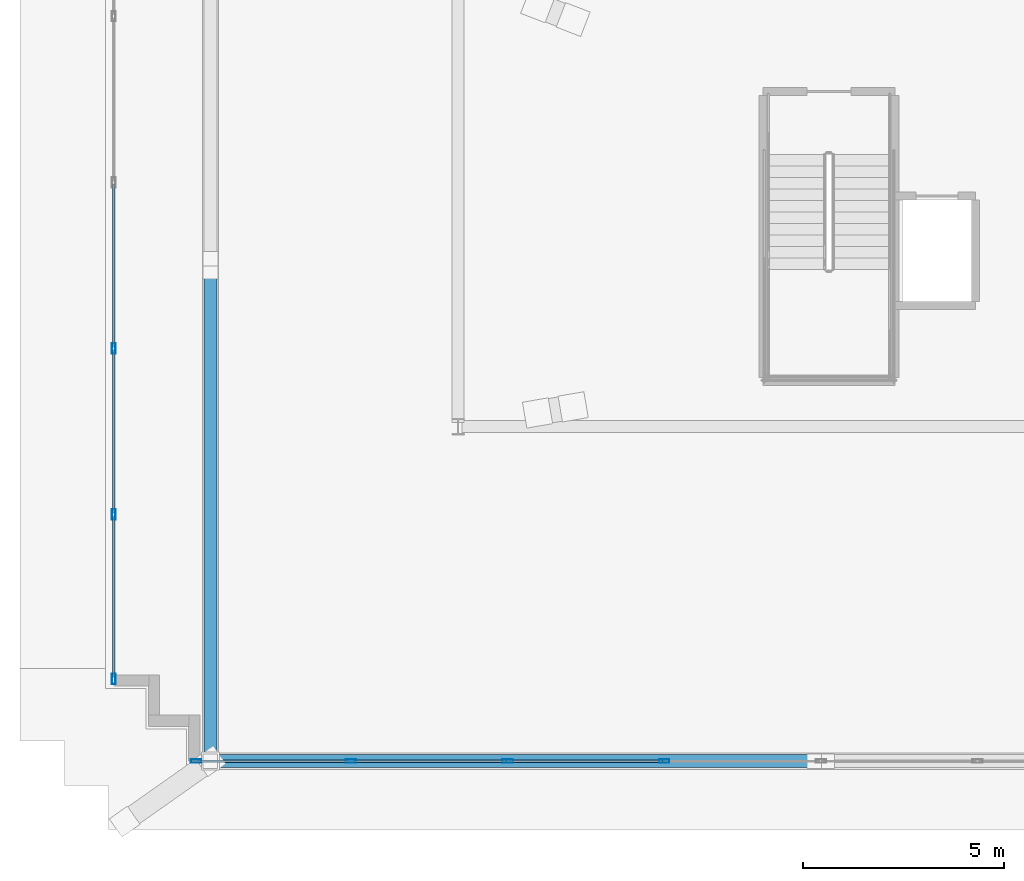
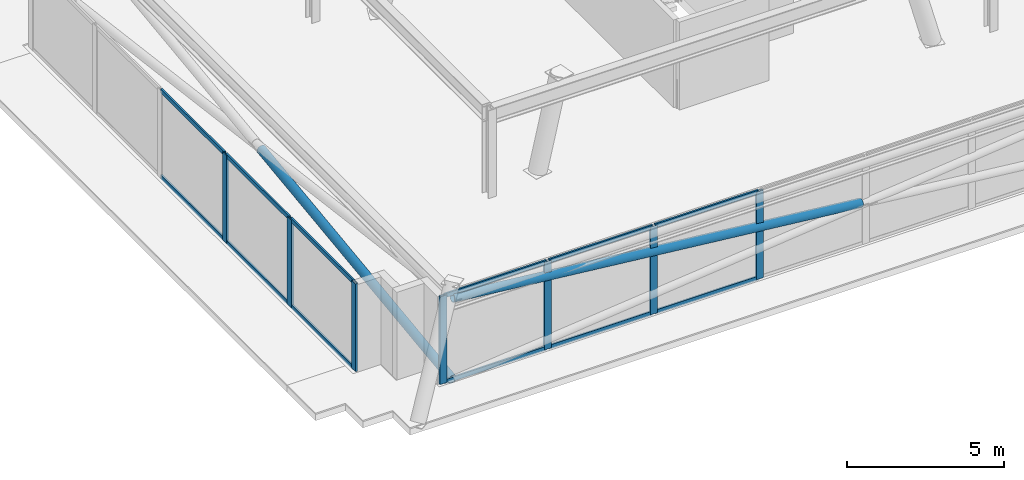
# One storey, part 2 of 18: 21 members, 2 elements without a shape of their own.
"""IFC4 building model written with IfcOpenShell, lengths in metres."""

from ifc_helpers import new_model, si_unit, direction, frame, origin, origin_2d, place, context, subcontext, project, spatial, hollow_rectangle, hollow_circle, extrude, material, layer, layer_set, material_profile, profile_set, type_object, element, aggregate, save


model = new_model("IFC4")

# Units and contexts
model_context = context("Model", 3, precision=1e-05, world=origin(), true_north=direction((0.0, 1.0)))
body_context = subcontext(model_context, "Body", "Model", "MODEL_VIEW")
ifc_project = project(units=[si_unit("LENGTHUNIT", "METRE"), si_unit("AREAUNIT", "SQUARE_METRE"), si_unit("VOLUMEUNIT", "CUBIC_METRE"), si_unit("PLANEANGLEUNIT", "RADIAN"), si_unit("MASSUNIT", "GRAM", prefix="KILO")], contexts=[model_context])

# Site, building, storey
site_placement = place(None, origin())
site = spatial("IfcSite", under=ifc_project, at=site_placement, CompositionType="ELEMENT")
building_placement = place(site_placement, origin())
building = spatial("IfcBuilding", under=site, at=building_placement, Name="Qobustan Lattice House", CompositionType="ELEMENT")
storey_placement = place(building_placement, frame((0.0, 0.0, 277.800048828125)))
storey = spatial("IfcBuildingStorey", under=building, at=storey_placement, Name="L78", CompositionType="ELEMENT", Elevation=277.800048828125)

# Curtain wall, members
ifc_material_1 = material(Name="Anodised aluminium and low-E glazing", Category="aluminium")
ifc_layer = layer(ifc_material_1, 0.219970703125)
ifc_layer_set = layer_set([ifc_layer], Name="Anodised aluminium and low-E glazing")
curtain_wall_type = type_object("IfcCurtainWallType", Name="CW-CRN-01", PredefinedType="USERDEFINED", material=ifc_layer_set)
curtain_wall_1_placement = place(storey_placement, origin())
curtain_wall_1 = element("IfcCurtainWall", 1, at=curtain_wall_1_placement, inside=storey, type_object=curtain_wall_type, Name="L78 glass-point crown faceted curtain wall 5", ObjectType="CURTAIN WALL", PredefinedType="USERDEFINED")
ifc_material_2 = material(Name="Anodised aluminium EN AW-6063 T6", Category="aluminium")
ifc_material_profile_1 = material_profile(ifc_material_2, hollow_rectangle(XDim=0.090087890625, YDim=0.260009765625, WallThickness=0.006103515625, at=origin_2d()), Name="CWM-CROWN-260x90")
ifc_profile_set_1 = profile_set([ifc_material_profile_1], Name="Anodised aluminium EN AW-6063 T6")
member_type_1 = type_object("IfcMemberType", Name="CWM-CRN-260", PredefinedType="MULLION", material=ifc_profile_set_1)
member_1_placement = place(storey_placement, frame((-17.74658203125, -11.8583984375, 0.0), z_axis=(0.0, 0.0, 1.0), x_axis=(-1.0, 0.0, 0.0)))
member_1 = element("IfcMember", 2, at=member_1_placement, type_object=member_type_1, Name="CW-CR mullion 1", PredefinedType="MULLION", context=body_context, shape_type="SweptSolid", body=[
    extrude(hollow_rectangle(XDim=0.090087890625, YDim=0.260009765625, WallThickness=0.006103515625, at=origin_2d()), origin(), (0.0, 0.0, 1.0), 3.39990234375),
])
member_2_placement = place(storey_placement, frame((-17.74658203125, -7.781982421875, 0.0), z_axis=(0.0, 0.0, 1.0), x_axis=(-1.0, 0.0, 0.0)))
member_2 = element("IfcMember", 3, at=member_2_placement, type_object=member_type_1, Name="CW-CR mullion 2", PredefinedType="MULLION", context=body_context, shape_type="SweptSolid", body=[
    extrude(hollow_rectangle(XDim=0.090087890625, YDim=0.260009765625, WallThickness=0.006103515625, at=origin_2d()), origin(), (0.0, 0.0, 1.0), 3.39990234375),
])
member_3_placement = place(storey_placement, frame((-17.74658203125, -3.66064453125, 0.0), z_axis=(0.0, 0.0, 1.0), x_axis=(-1.0, 0.0, 0.0)))
member_3 = element("IfcMember", 4, at=member_3_placement, type_object=member_type_1, Name="CW-CR mullion 3", PredefinedType="MULLION", context=body_context, shape_type="SweptSolid", body=[
    extrude(hollow_rectangle(XDim=0.090087890625, YDim=0.260009765625, WallThickness=0.006103515625, at=origin_2d()), origin(), (0.0, 0.0, 1.0), 3.39990234375),
])

curtain_wall_2_placement = place(storey_placement, origin())
curtain_wall_2 = element("IfcCurtainWall", 5, at=curtain_wall_2_placement, inside=storey, type_object=curtain_wall_type, Name="L78 glass-point crown faceted curtain wall 20", ObjectType="CURTAIN WALL", PredefinedType="USERDEFINED")
member_4_placement = place(storey_placement, frame((-4.086669921875, -13.903564453125, 0.0), z_axis=(0.0, 0.0, 1.0), x_axis=(0.0, -1.0, 0.0)))
member_4 = element("IfcMember", 6, at=member_4_placement, type_object=member_type_1, Name="CW-CR mullion 6", PredefinedType="MULLION", context=body_context, shape_type="SweptSolid", body=[
    extrude(hollow_rectangle(XDim=0.090087890625, YDim=0.260009765625, WallThickness=0.006103515625, at=origin_2d()), origin(), (0.0, 0.0, 1.0), 3.39990234375),
])
member_5_placement = place(storey_placement, frame((-7.97314453125, -13.903564453125, 0.0), z_axis=(0.0, 0.0, 1.0), x_axis=(0.0, -1.0, 0.0)))
member_5 = element("IfcMember", 7, at=member_5_placement, type_object=member_type_1, Name="CW-CR mullion 7", PredefinedType="MULLION", context=body_context, shape_type="SweptSolid", body=[
    extrude(hollow_rectangle(XDim=0.090087890625, YDim=0.260009765625, WallThickness=0.006103515625, at=origin_2d()), origin(), (0.0, 0.0, 1.0), 3.39990234375),
])
member_6_placement = place(storey_placement, frame((-11.85986328125, -13.903564453125, 0.0), z_axis=(0.0, 0.0, 1.0), x_axis=(0.0, -1.0, 0.0)))
member_6 = element("IfcMember", 8, at=member_6_placement, type_object=member_type_1, Name="CW-CR mullion 8", PredefinedType="MULLION", context=body_context, shape_type="SweptSolid", body=[
    extrude(hollow_rectangle(XDim=0.090087890625, YDim=0.260009765625, WallThickness=0.006103515625, at=origin_2d()), origin(), (0.0, 0.0, 1.0), 3.39990234375),
])
member_7_placement = place(storey_placement, frame((-15.701416015625, -13.903564453125, 0.0), z_axis=(0.0, 0.0, 1.0), x_axis=(0.0, -1.0, 0.0)))
member_7 = element("IfcMember", 9, at=member_7_placement, type_object=member_type_1, Name="CW-CR mullion 9", PredefinedType="MULLION", context=body_context, shape_type="SweptSolid", body=[
    extrude(hollow_rectangle(XDim=0.090087890625, YDim=0.260009765625, WallThickness=0.006103515625, at=origin_2d()), origin(), (0.0, 0.0, 1.0), 3.39990234375),
])

# Member
ifc_material_3 = material(Name="Anodised aluminium EN AW-6063 T6", Category="aluminium")
ifc_material_profile_2 = material_profile(ifc_material_3, hollow_rectangle(XDim=0.06494140625, YDim=0.159912109375, WallThickness=0.00390625, at=origin_2d()), Name="CWT-160x65")
ifc_profile_set_2 = profile_set([ifc_material_profile_2], Name="Anodised aluminium EN AW-6063 T6")
member_type_2 = type_object("IfcMemberType", Name="CWT-HOR-160", PredefinedType="USERDEFINED", material=ifc_profile_set_2)
member_8_placement = place(storey_placement, frame((-17.74658203125, -11.8134765625, 0.032470703125), z_axis=(0.0, 1.0, 0.0), x_axis=(-1.0, 0.0, 0.0)))
member_8 = element("IfcMember", 10, at=member_8_placement, type_object=member_type_2, Name="CW-CR transom 1.1", ObjectType="TRANSOM", PredefinedType="USERDEFINED", context=body_context, shape_type="SweptSolid", body=[
    extrude(hollow_rectangle(XDim=0.06494140625, YDim=0.159912109375, WallThickness=0.00390625, at=origin_2d()), origin(), (0.0, 0.0, 1.0), 3.986328125),
])

member_9_placement = place(storey_placement, frame((-17.74658203125, -11.8134765625, 3.367431640625), z_axis=(0.0, 1.0, 0.0), x_axis=(-1.0, 0.0, 0.0)))
member_9 = element("IfcMember", 11, at=member_9_placement, type_object=member_type_2, Name="CW-CR transom 1.2", ObjectType="TRANSOM", PredefinedType="USERDEFINED", context=body_context, shape_type="SweptSolid", body=[
    extrude(hollow_rectangle(XDim=0.06494140625, YDim=0.159912109375, WallThickness=0.00390625, at=origin_2d()), origin(), (0.0, 0.0, 1.0), 3.986328125),
])

member_10_placement = place(storey_placement, frame((-17.74658203125, -7.737060546875, 0.032470703125), z_axis=(0.0, 1.0, 0.0), x_axis=(-1.0, 0.0, 0.0)))
member_10 = element("IfcMember", 12, at=member_10_placement, type_object=member_type_2, Name="CW-CR transom 2.1", ObjectType="TRANSOM", PredefinedType="USERDEFINED", context=body_context, shape_type="SweptSolid", body=[
    extrude(hollow_rectangle(XDim=0.06494140625, YDim=0.159912109375, WallThickness=0.00390625, at=origin_2d()), origin(), (0.0, 0.0, 1.0), 4.03125),
])

member_11_placement = place(storey_placement, frame((-17.74658203125, -7.737060546875, 3.367431640625), z_axis=(0.0, 1.0, 0.0), x_axis=(-1.0, 0.0, 0.0)))
member_11 = element("IfcMember", 13, at=member_11_placement, type_object=member_type_2, Name="CW-CR transom 2.2", ObjectType="TRANSOM", PredefinedType="USERDEFINED", context=body_context, shape_type="SweptSolid", body=[
    extrude(hollow_rectangle(XDim=0.06494140625, YDim=0.159912109375, WallThickness=0.00390625, at=origin_2d()), origin(), (0.0, 0.0, 1.0), 4.03125),
])

member_12_placement = place(storey_placement, frame((-17.74658203125, -3.61572265625, 0.032470703125), z_axis=(0.0, 1.0, 0.0), x_axis=(-1.0, 0.0, 0.0)))
member_12 = element("IfcMember", 14, at=member_12_placement, type_object=member_type_2, Name="CW-CR transom 3.1", ObjectType="TRANSOM", PredefinedType="USERDEFINED", context=body_context, shape_type="SweptSolid", body=[
    extrude(hollow_rectangle(XDim=0.06494140625, YDim=0.159912109375, WallThickness=0.00390625, at=origin_2d()), origin(), (0.0, 0.0, 1.0), 4.031494140625),
])

member_13_placement = place(storey_placement, frame((-17.74658203125, -3.61572265625, 3.367431640625), z_axis=(0.0, 1.0, 0.0), x_axis=(-1.0, 0.0, 0.0)))
member_13 = element("IfcMember", 15, at=member_13_placement, type_object=member_type_2, Name="CW-CR transom 3.2", ObjectType="TRANSOM", PredefinedType="USERDEFINED", context=body_context, shape_type="SweptSolid", body=[
    extrude(hollow_rectangle(XDim=0.06494140625, YDim=0.159912109375, WallThickness=0.00390625, at=origin_2d()), origin(), (0.0, 0.0, 1.0), 4.031494140625),
])

aggregate(curtain_wall_1, [member_1, member_2, member_3, member_8, member_9, member_10, member_11, member_12, member_13])

member_14_placement = place(storey_placement, frame((-4.131591796875, -13.903564453125, 0.032470703125), z_axis=(-1.0, 0.0, 0.0), x_axis=(0.0, -1.0, 0.0)))
member_14 = element("IfcMember", 16, at=member_14_placement, type_object=member_type_2, Name="CW-CR transom 6.1", ObjectType="TRANSOM", PredefinedType="USERDEFINED", context=body_context, shape_type="SweptSolid", body=[
    extrude(hollow_rectangle(XDim=0.06494140625, YDim=0.159912109375, WallThickness=0.00390625, at=origin_2d()), origin(), (0.0, 0.0, 1.0), 3.796630859375),
])

member_15_placement = place(storey_placement, frame((-4.131591796875, -13.903564453125, 3.367431640625), z_axis=(-1.0, 0.0, 0.0), x_axis=(0.0, -1.0, 0.0)))
member_15 = element("IfcMember", 17, at=member_15_placement, type_object=member_type_2, Name="CW-CR transom 6.2", ObjectType="TRANSOM", PredefinedType="USERDEFINED", context=body_context, shape_type="SweptSolid", body=[
    extrude(hollow_rectangle(XDim=0.06494140625, YDim=0.159912109375, WallThickness=0.00390625, at=origin_2d()), origin(), (0.0, 0.0, 1.0), 3.796630859375),
])

member_16_placement = place(storey_placement, frame((-8.018310546875, -13.903564453125, 0.032470703125), z_axis=(-1.0, 0.0, 0.0), x_axis=(0.0, -1.0, 0.0)))
member_16 = element("IfcMember", 18, at=member_16_placement, type_object=member_type_2, Name="CW-CR transom 7.1", ObjectType="TRANSOM", PredefinedType="USERDEFINED", context=body_context, shape_type="SweptSolid", body=[
    extrude(hollow_rectangle(XDim=0.06494140625, YDim=0.159912109375, WallThickness=0.00390625, at=origin_2d()), origin(), (0.0, 0.0, 1.0), 3.796630859375),
])

member_17_placement = place(storey_placement, frame((-8.018310546875, -13.903564453125, 3.367431640625), z_axis=(-1.0, 0.0, 0.0), x_axis=(0.0, -1.0, 0.0)))
member_17 = element("IfcMember", 19, at=member_17_placement, type_object=member_type_2, Name="CW-CR transom 7.2", ObjectType="TRANSOM", PredefinedType="USERDEFINED", context=body_context, shape_type="SweptSolid", body=[
    extrude(hollow_rectangle(XDim=0.06494140625, YDim=0.159912109375, WallThickness=0.00390625, at=origin_2d()), origin(), (0.0, 0.0, 1.0), 3.796630859375),
])

member_18_placement = place(storey_placement, frame((-11.90478515625, -13.903564453125, 0.032470703125), z_axis=(-1.0, 0.0, 0.0), x_axis=(0.0, -1.0, 0.0)))
member_18 = element("IfcMember", 20, at=member_18_placement, type_object=member_type_2, Name="CW-CR transom 8.1", ObjectType="TRANSOM", PredefinedType="USERDEFINED", context=body_context, shape_type="SweptSolid", body=[
    extrude(hollow_rectangle(XDim=0.06494140625, YDim=0.159912109375, WallThickness=0.00390625, at=origin_2d()), origin(), (0.0, 0.0, 1.0), 3.751708984375),
])

member_19_placement = place(storey_placement, frame((-11.90478515625, -13.903564453125, 3.367431640625), z_axis=(-1.0, 0.0, 0.0), x_axis=(0.0, -1.0, 0.0)))
member_19 = element("IfcMember", 21, at=member_19_placement, type_object=member_type_2, Name="CW-CR transom 8.2", ObjectType="TRANSOM", PredefinedType="USERDEFINED", context=body_context, shape_type="SweptSolid", body=[
    extrude(hollow_rectangle(XDim=0.06494140625, YDim=0.159912109375, WallThickness=0.00390625, at=origin_2d()), origin(), (0.0, 0.0, 1.0), 3.751708984375),
])

aggregate(curtain_wall_2, [member_4, member_5, member_6, member_7, member_14, member_15, member_16, member_17, member_18, member_19])

# Members
ifc_material_4 = material(Name="Steel S355", Category="steel")
ifc_material_profile_3 = material_profile(ifc_material_4, hollow_circle(Radius=0.161865234375, WallThickness=0.012451171875, at=origin_2d()), Name="CHS323.9x12.5")
ifc_profile_set_3 = profile_set([ifc_material_profile_3], Name="Steel S355")
member_type_3 = type_object("IfcMemberType", Name="MEM-CBR-CHS324", PredefinedType="BRACE", material=ifc_profile_set_3)
member_20_placement = place(storey_placement, frame((-0.3671875, -13.903564453125, 1.614990234375), z_axis=(-0.994586867917, 0.0, 0.103908431641), x_axis=(0.0, -1.0, 0.0)))
element("IfcMember", 22, at=member_20_placement, inside=storey, type_object=member_type_3, Name="L78 crown diagrid split brace 1B upper", PredefinedType="BRACE", context=body_context, shape_type="SweptSolid", body=[
    extrude(hollow_circle(Radius=0.161865234375, WallThickness=0.012451171875, at=origin_2d()), origin(), (0.0, 0.0, 1.0), 15.060791015625),
])
member_21_placement = place(storey_placement, frame((-15.346435546875, -13.903564453125, 0.014892578125), z_axis=(0.0, 0.991827373761, 0.127587070891), x_axis=(-1.0, 0.0, 0.0)))
element("IfcMember", 23, at=member_21_placement, inside=storey, type_object=member_type_3, Name="L78 crown diagrid split brace 4B lower", PredefinedType="BRACE", context=body_context, shape_type="SweptSolid", body=[
    extrude(hollow_circle(Radius=0.161865234375, WallThickness=0.012451171875, at=origin_2d()), origin(), (0.0, 0.0, 1.0), 12.237060546875),
])

save(model, "model.ifc")
